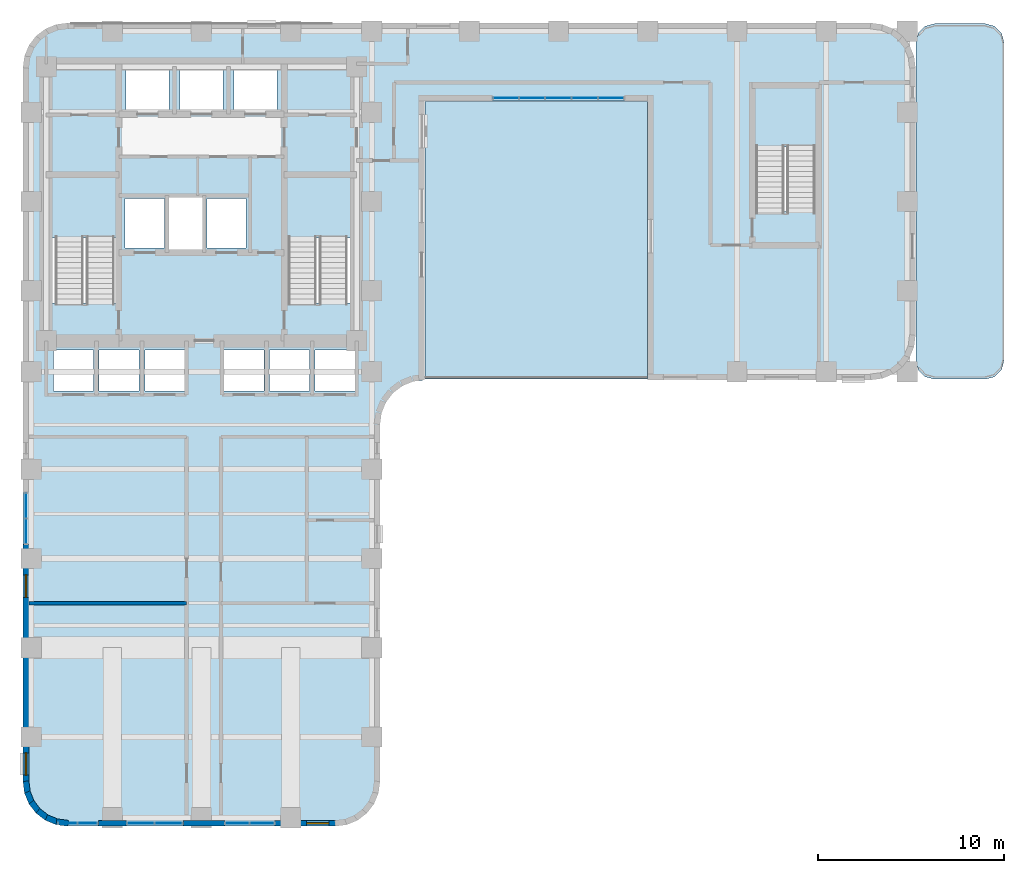
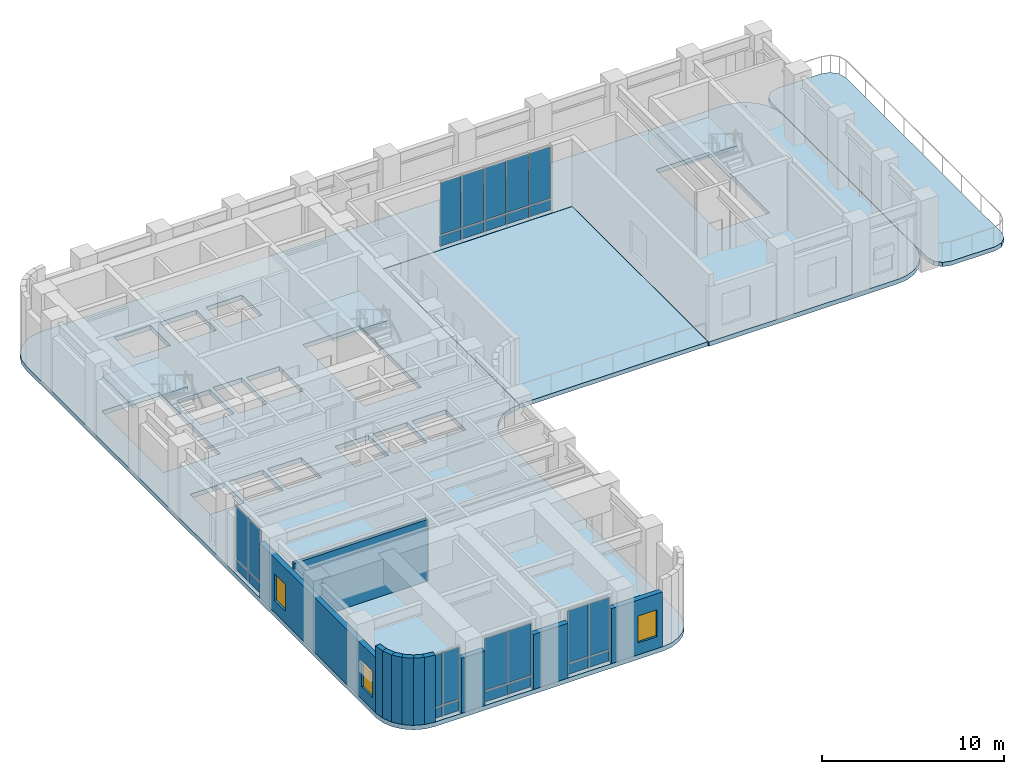
# One storey, part 5 of 12: 26 plates, 11 walls, 6 slabs, 3 windows, 3 openings, 8 elements without a shape of their own.
"""IFC4 building model written with IfcOpenShell, lengths in metres."""

from ifc_helpers import new_model, si_unit, direction, frame, frame_2d, origin, origin_2d, place, context, subcontext, project, spatial, polyline, rectangle, outline, extrude, material, layer, layer_set, type_object, element, fill, aggregate, save


model = new_model("IFC4")

# Units and contexts
model_context = context("Model", 3, precision=1e-05, world=origin(), true_north=direction((0.0, 1.0)))
body_context = subcontext(model_context, "Body", "Model", "MODEL_VIEW")
ifc_project = project(units=[si_unit("LENGTHUNIT", "METRE"), si_unit("AREAUNIT", "SQUARE_METRE"), si_unit("VOLUMEUNIT", "CUBIC_METRE"), si_unit("PLANEANGLEUNIT", "RADIAN"), si_unit("MASSUNIT", "GRAM", prefix="KILO")], contexts=[model_context])

# Site, building, storey
site_placement = place(None, origin())
site = spatial("IfcSite", under=ifc_project, at=site_placement, CompositionType="ELEMENT")
building_placement = place(site_placement, origin())
building = spatial("IfcBuilding", under=site, at=building_placement, Name="Orvandelia Arch Residences", CompositionType="ELEMENT")
storey_placement = place(building_placement, frame((0.0, 0.0, 97.0)))
storey = spatial("IfcBuildingStorey", under=building, at=storey_placement, Name="L25", CompositionType="ELEMENT", Elevation=97.0)

# Curtain wall, plates
ifc_material_1 = material(Name="Anodised Bronze Curtain Wall Assembly")
curtain_wall_type = type_object("IfcCurtainWallType", Name="CW-SYS3-SKY", PredefinedType="NOTDEFINED", material=ifc_material_1)
curtain_wall_1_placement = place(storey_placement, origin())
curtain_wall_1 = element("IfcCurtainWall", 1, at=curtain_wall_1_placement, inside=storey, type_object=curtain_wall_type, Name="Sky Lobby South Curtain Wall L25 1", PredefinedType="NOTDEFINED")
ifc_material_2 = material(Name="Insulated Bronze Aluminium Spandrel Panel", Category="aluminium")
ifc_layer_1 = layer(ifc_material_2, 0.0400390625, Name="Insulated Bronze Aluminium Spandrel Panel", Category="aluminium")
ifc_layer_set_1 = layer_set([ifc_layer_1], Name="Insulated Bronze Aluminium Spandrel Panel")
plate_type_1 = type_object("IfcPlateType", Name="CW-PANEL-SPANDREL", PredefinedType="SHEET", material=ifc_layer_set_1)
plate_1_placement = place(storey_placement, frame((7.21240234375, 4.9599609375, 0.125), z_axis=(0.0, 0.0, 1.0), x_axis=(1.0, 0.0, 0.0)))
plate_1 = element("IfcPlate", 2, at=plate_1_placement, type_object=plate_type_1, Name="Curtain Wall Spandrel Panel CW-L25-1-PS1", PredefinedType="SHEET", context=body_context, shape_type="SweptSolid", body=[
    extrude(rectangle(XDim=1.014892578125, YDim=0.0400390625, at=origin_2d()), origin(), (0.0, 0.0, 1.0), 0.669921875),
])
plate_2_placement = place(storey_placement, frame((8.277587890625, 4.9599609375, 0.125), z_axis=(0.0, 0.0, 1.0), x_axis=(1.0, 0.0, 0.0)))
plate_2 = element("IfcPlate", 3, at=plate_2_placement, type_object=plate_type_1, Name="Curtain Wall Spandrel Panel CW-L25-1-PS2", PredefinedType="SHEET", context=body_context, shape_type="SweptSolid", body=[
    extrude(rectangle(XDim=1.014892578125, YDim=0.0400390625, at=origin_2d()), origin(), (0.0, 0.0, 1.0), 0.669921875),
])

curtain_wall_2_placement = place(storey_placement, origin())
curtain_wall_2 = element("IfcCurtainWall", 4, at=curtain_wall_2_placement, inside=storey, type_object=curtain_wall_type, Name="Sky Lobby South Curtain Wall L25 2", PredefinedType="NOTDEFINED")
plate_3_placement = place(storey_placement, frame((11.137451171875, 4.9599609375, 0.125), z_axis=(0.0, 0.0, 1.0), x_axis=(1.0, 0.0, 0.0)))
plate_3 = element("IfcPlate", 5, at=plate_3_placement, type_object=plate_type_1, Name="Curtain Wall Spandrel Panel CW-L25-2-PS1", PredefinedType="SHEET", context=body_context, shape_type="SweptSolid", body=[
    extrude(rectangle(XDim=1.445068359375, YDim=0.0400390625, at=origin_2d()), origin(), (0.0, 0.0, 1.0), 0.669921875),
])
plate_4_placement = place(storey_placement, frame((12.632568359375, 4.9599609375, 0.125), z_axis=(0.0, 0.0, 1.0), x_axis=(1.0, 0.0, 0.0)))
plate_4 = element("IfcPlate", 6, at=plate_4_placement, type_object=plate_type_1, Name="Curtain Wall Spandrel Panel CW-L25-2-PS2", PredefinedType="SHEET", context=body_context, shape_type="SweptSolid", body=[
    extrude(rectangle(XDim=1.445068359375, YDim=0.0400390625, at=origin_2d()), origin(), (0.0, 0.0, 1.0), 0.669921875),
])

curtain_wall_3_placement = place(storey_placement, origin())
curtain_wall_3 = element("IfcCurtainWall", 7, at=curtain_wall_3_placement, inside=storey, type_object=curtain_wall_type, Name="Sky Lobby South Curtain Wall L25 3", PredefinedType="NOTDEFINED")
plate_5_placement = place(storey_placement, frame((16.33251953125, 4.9599609375, 0.125), z_axis=(0.0, 0.0, 1.0), x_axis=(1.0, 0.0, 0.0)))
plate_5 = element("IfcPlate", 8, at=plate_5_placement, type_object=plate_type_1, Name="Curtain Wall Spandrel Panel CW-L25-3-PS1", PredefinedType="SHEET", context=body_context, shape_type="SweptSolid", body=[
    extrude(rectangle(XDim=1.27490234375, YDim=0.0400390625, at=origin_2d()), origin(), (0.0, 0.0, 1.0), 0.669921875),
])
plate_6_placement = place(storey_placement, frame((17.657470703125, 4.9599609375, 0.125), z_axis=(0.0, 0.0, 1.0), x_axis=(1.0, 0.0, 0.0)))
plate_6 = element("IfcPlate", 9, at=plate_6_placement, type_object=plate_type_1, Name="Curtain Wall Spandrel Panel CW-L25-3-PS2", PredefinedType="SHEET", context=body_context, shape_type="SweptSolid", body=[
    extrude(rectangle(XDim=1.27490234375, YDim=0.0400390625, at=origin_2d()), origin(), (0.0, 0.0, 1.0), 0.669921875),
])

curtain_wall_4_placement = place(storey_placement, origin())
curtain_wall_4 = element("IfcCurtainWall", 10, at=curtain_wall_4_placement, inside=storey, type_object=curtain_wall_type, Name="Sky Lobby West Curtain Wall L25 4", PredefinedType="NOTDEFINED")
plate_7_placement = place(storey_placement, frame((4.9599609375, 20.672607421875, 0.125), z_axis=(0.0, 0.0, 1.0), x_axis=(0.0, 1.0, 0.0)))
plate_7 = element("IfcPlate", 11, at=plate_7_placement, type_object=plate_type_1, Name="Curtain Wall Spandrel Panel CW-L25-4-PS1", PredefinedType="SHEET", context=body_context, shape_type="SweptSolid", body=[
    extrude(rectangle(XDim=1.31494140625, YDim=0.0400390625, at=origin_2d()), origin(), (0.0, 0.0, 1.0), 0.669921875),
])
plate_8_placement = place(storey_placement, frame((4.9599609375, 22.03759765625, 0.125), z_axis=(0.0, 0.0, 1.0), x_axis=(0.0, 1.0, 0.0)))
plate_8 = element("IfcPlate", 12, at=plate_8_placement, type_object=plate_type_1, Name="Curtain Wall Spandrel Panel CW-L25-4-PS2", PredefinedType="SHEET", context=body_context, shape_type="SweptSolid", body=[
    extrude(rectangle(XDim=1.31494140625, YDim=0.0400390625, at=origin_2d()), origin(), (0.0, 0.0, 1.0), 0.669921875),
])

curtain_wall_5_placement = place(storey_placement, origin())
curtain_wall_5 = element("IfcCurtainWall", 13, at=curtain_wall_5_placement, inside=storey, type_object=curtain_wall_type, Name="Sky Garden Bridge Curtain Wall L25 5", PredefinedType="NOTDEFINED")
plate_9_placement = place(storey_placement, frame((30.77197265625, 43.9599609375, 0.125), z_axis=(0.0, 0.0, 1.0), x_axis=(1.0, 0.0, 0.0)))
plate_9 = element("IfcPlate", 14, at=plate_9_placement, type_object=plate_type_1, Name="Curtain Wall Spandrel Panel CW-L25-5-PS1", PredefinedType="SHEET", context=body_context, shape_type="SweptSolid", body=[
    extrude(rectangle(XDim=1.333984375, YDim=0.0400390625, at=origin_2d()), origin(), (0.0, 0.0, 1.0), 0.669921875),
])
plate_10_placement = place(storey_placement, frame((32.176025390625, 43.9599609375, 0.125), z_axis=(0.0, 0.0, 1.0), x_axis=(1.0, 0.0, 0.0)))
plate_10 = element("IfcPlate", 15, at=plate_10_placement, type_object=plate_type_1, Name="Curtain Wall Spandrel Panel CW-L25-5-PS2", PredefinedType="SHEET", context=body_context, shape_type="SweptSolid", body=[
    extrude(rectangle(XDim=1.3740234375, YDim=0.0400390625, at=origin_2d()), origin(), (0.0, 0.0, 1.0), 0.669921875),
])
plate_11_placement = place(storey_placement, frame((33.60009765625, 43.9599609375, 0.125), z_axis=(0.0, 0.0, 1.0), x_axis=(1.0, 0.0, 0.0)))
plate_11 = element("IfcPlate", 16, at=plate_11_placement, type_object=plate_type_1, Name="Curtain Wall Spandrel Panel CW-L25-5-PS3", PredefinedType="SHEET", context=body_context, shape_type="SweptSolid", body=[
    extrude(rectangle(XDim=1.3740234375, YDim=0.0400390625, at=origin_2d()), origin(), (0.0, 0.0, 1.0), 0.669921875),
])
plate_12_placement = place(storey_placement, frame((35.02392578125, 43.9599609375, 0.125), z_axis=(0.0, 0.0, 1.0), x_axis=(1.0, 0.0, 0.0)))
plate_12 = element("IfcPlate", 17, at=plate_12_placement, type_object=plate_type_1, Name="Curtain Wall Spandrel Panel CW-L25-5-PS4", PredefinedType="SHEET", context=body_context, shape_type="SweptSolid", body=[
    extrude(rectangle(XDim=1.3740234375, YDim=0.0400390625, at=origin_2d()), origin(), (0.0, 0.0, 1.0), 0.669921875),
])
plate_13_placement = place(storey_placement, frame((36.427978515625, 43.9599609375, 0.125), z_axis=(0.0, 0.0, 1.0), x_axis=(1.0, 0.0, 0.0)))
plate_13 = element("IfcPlate", 18, at=plate_13_placement, type_object=plate_type_1, Name="Curtain Wall Spandrel Panel CW-L25-5-PS5", PredefinedType="SHEET", context=body_context, shape_type="SweptSolid", body=[
    extrude(rectangle(XDim=1.333984375, YDim=0.0400390625, at=origin_2d()), origin(), (0.0, 0.0, 1.0), 0.669921875),
])

# Plate
ifc_material_3 = material(Name="Low-E Laminated Double Glazing", Category="glass")
ifc_layer_2 = layer(ifc_material_3, 0.031982421875, Name="Low-E Laminated Double Glazing", Category="glass")
ifc_layer_set_2 = layer_set([ifc_layer_2], Name="Low-E Laminated Double Glazing")
plate_type_2 = type_object("IfcPlateType", Name="CW-PANEL-VISION", PredefinedType="CURTAIN_PANEL", material=ifc_layer_set_2)
plate_14_placement = place(storey_placement, frame((7.21240234375, 4.9599609375, 0.90478515625), z_axis=(0.0, 0.0, 1.0), x_axis=(1.0, 0.0, 0.0)))
plate_14 = element("IfcPlate", 19, at=plate_14_placement, type_object=plate_type_2, Name="Curtain Wall Vision Glass Panel CW-L25-1-PV1", PredefinedType="CURTAIN_PANEL", context=body_context, shape_type="SweptSolid", body=[
    extrude(rectangle(XDim=1.014892578125, YDim=0.031982421875, at=origin_2d()), origin(), (0.0, 0.0, 1.0), 3.469970703125),
])

plate_15_placement = place(storey_placement, frame((8.277587890625, 4.9599609375, 0.90478515625), z_axis=(0.0, 0.0, 1.0), x_axis=(1.0, 0.0, 0.0)))
plate_15 = element("IfcPlate", 20, at=plate_15_placement, type_object=plate_type_2, Name="Curtain Wall Vision Glass Panel CW-L25-1-PV2", PredefinedType="CURTAIN_PANEL", context=body_context, shape_type="SweptSolid", body=[
    extrude(rectangle(XDim=1.014892578125, YDim=0.031982421875, at=origin_2d()), origin(), (0.0, 0.0, 1.0), 3.469970703125),
])

aggregate(curtain_wall_1, [plate_1, plate_14, plate_2, plate_15])

plate_16_placement = place(storey_placement, frame((11.137451171875, 4.9599609375, 0.90478515625), z_axis=(0.0, 0.0, 1.0), x_axis=(1.0, 0.0, 0.0)))
plate_16 = element("IfcPlate", 21, at=plate_16_placement, type_object=plate_type_2, Name="Curtain Wall Vision Glass Panel CW-L25-2-PV1", PredefinedType="CURTAIN_PANEL", context=body_context, shape_type="SweptSolid", body=[
    extrude(rectangle(XDim=1.445068359375, YDim=0.031982421875, at=origin_2d()), origin(), (0.0, 0.0, 1.0), 3.469970703125),
])

plate_17_placement = place(storey_placement, frame((12.632568359375, 4.9599609375, 0.90478515625), z_axis=(0.0, 0.0, 1.0), x_axis=(1.0, 0.0, 0.0)))
plate_17 = element("IfcPlate", 22, at=plate_17_placement, type_object=plate_type_2, Name="Curtain Wall Vision Glass Panel CW-L25-2-PV2", PredefinedType="CURTAIN_PANEL", context=body_context, shape_type="SweptSolid", body=[
    extrude(rectangle(XDim=1.445068359375, YDim=0.031982421875, at=origin_2d()), origin(), (0.0, 0.0, 1.0), 3.469970703125),
])

aggregate(curtain_wall_2, [plate_3, plate_16, plate_4, plate_17])

plate_18_placement = place(storey_placement, frame((16.33251953125, 4.9599609375, 0.90478515625), z_axis=(0.0, 0.0, 1.0), x_axis=(1.0, 0.0, 0.0)))
plate_18 = element("IfcPlate", 23, at=plate_18_placement, type_object=plate_type_2, Name="Curtain Wall Vision Glass Panel CW-L25-3-PV1", PredefinedType="CURTAIN_PANEL", context=body_context, shape_type="SweptSolid", body=[
    extrude(rectangle(XDim=1.27490234375, YDim=0.031982421875, at=origin_2d()), origin(), (0.0, 0.0, 1.0), 3.469970703125),
])

plate_19_placement = place(storey_placement, frame((17.657470703125, 4.9599609375, 0.90478515625), z_axis=(0.0, 0.0, 1.0), x_axis=(1.0, 0.0, 0.0)))
plate_19 = element("IfcPlate", 24, at=plate_19_placement, type_object=plate_type_2, Name="Curtain Wall Vision Glass Panel CW-L25-3-PV2", PredefinedType="CURTAIN_PANEL", context=body_context, shape_type="SweptSolid", body=[
    extrude(rectangle(XDim=1.27490234375, YDim=0.031982421875, at=origin_2d()), origin(), (0.0, 0.0, 1.0), 3.469970703125),
])

aggregate(curtain_wall_3, [plate_5, plate_18, plate_6, plate_19])

plate_20_placement = place(storey_placement, frame((4.9599609375, 20.672607421875, 0.90478515625), z_axis=(0.0, 0.0, 1.0), x_axis=(0.0, 1.0, 0.0)))
plate_20 = element("IfcPlate", 25, at=plate_20_placement, type_object=plate_type_2, Name="Curtain Wall Vision Glass Panel CW-L25-4-PV1", PredefinedType="CURTAIN_PANEL", context=body_context, shape_type="SweptSolid", body=[
    extrude(rectangle(XDim=1.31494140625, YDim=0.031982421875, at=origin_2d()), origin(), (0.0, 0.0, 1.0), 3.469970703125),
])

plate_21_placement = place(storey_placement, frame((4.9599609375, 22.03759765625, 0.90478515625), z_axis=(0.0, 0.0, 1.0), x_axis=(0.0, 1.0, 0.0)))
plate_21 = element("IfcPlate", 26, at=plate_21_placement, type_object=plate_type_2, Name="Curtain Wall Vision Glass Panel CW-L25-4-PV2", PredefinedType="CURTAIN_PANEL", context=body_context, shape_type="SweptSolid", body=[
    extrude(rectangle(XDim=1.31494140625, YDim=0.031982421875, at=origin_2d()), origin(), (0.0, 0.0, 1.0), 3.469970703125),
])

aggregate(curtain_wall_4, [plate_7, plate_20, plate_8, plate_21])

plate_22_placement = place(storey_placement, frame((30.77197265625, 43.9599609375, 0.90478515625), z_axis=(0.0, 0.0, 1.0), x_axis=(1.0, 0.0, 0.0)))
plate_22 = element("IfcPlate", 27, at=plate_22_placement, type_object=plate_type_2, Name="Curtain Wall Vision Glass Panel CW-L25-5-PV1", PredefinedType="CURTAIN_PANEL", context=body_context, shape_type="SweptSolid", body=[
    extrude(rectangle(XDim=1.333984375, YDim=0.031982421875, at=origin_2d()), origin(), (0.0, 0.0, 1.0), 3.469970703125),
])

plate_23_placement = place(storey_placement, frame((32.176025390625, 43.9599609375, 0.90478515625), z_axis=(0.0, 0.0, 1.0), x_axis=(1.0, 0.0, 0.0)))
plate_23 = element("IfcPlate", 28, at=plate_23_placement, type_object=plate_type_2, Name="Curtain Wall Vision Glass Panel CW-L25-5-PV2", PredefinedType="CURTAIN_PANEL", context=body_context, shape_type="SweptSolid", body=[
    extrude(rectangle(XDim=1.3740234375, YDim=0.031982421875, at=origin_2d()), origin(), (0.0, 0.0, 1.0), 3.469970703125),
])

plate_24_placement = place(storey_placement, frame((33.60009765625, 43.9599609375, 0.90478515625), z_axis=(0.0, 0.0, 1.0), x_axis=(1.0, 0.0, 0.0)))
plate_24 = element("IfcPlate", 29, at=plate_24_placement, type_object=plate_type_2, Name="Curtain Wall Vision Glass Panel CW-L25-5-PV3", PredefinedType="CURTAIN_PANEL", context=body_context, shape_type="SweptSolid", body=[
    extrude(rectangle(XDim=1.3740234375, YDim=0.031982421875, at=origin_2d()), origin(), (0.0, 0.0, 1.0), 3.469970703125),
])

plate_25_placement = place(storey_placement, frame((35.02392578125, 43.9599609375, 0.90478515625), z_axis=(0.0, 0.0, 1.0), x_axis=(1.0, 0.0, 0.0)))
plate_25 = element("IfcPlate", 30, at=plate_25_placement, type_object=plate_type_2, Name="Curtain Wall Vision Glass Panel CW-L25-5-PV4", PredefinedType="CURTAIN_PANEL", context=body_context, shape_type="SweptSolid", body=[
    extrude(rectangle(XDim=1.3740234375, YDim=0.031982421875, at=origin_2d()), origin(), (0.0, 0.0, 1.0), 3.469970703125),
])

plate_26_placement = place(storey_placement, frame((36.427978515625, 43.9599609375, 0.90478515625), z_axis=(0.0, 0.0, 1.0), x_axis=(1.0, 0.0, 0.0)))
plate_26 = element("IfcPlate", 31, at=plate_26_placement, type_object=plate_type_2, Name="Curtain Wall Vision Glass Panel CW-L25-5-PV5", PredefinedType="CURTAIN_PANEL", context=body_context, shape_type="SweptSolid", body=[
    extrude(rectangle(XDim=1.333984375, YDim=0.031982421875, at=origin_2d()), origin(), (0.0, 0.0, 1.0), 3.469970703125),
])

aggregate(curtain_wall_5, [plate_9, plate_22, plate_10, plate_23, plate_11, plate_24, plate_12, plate_25, plate_13, plate_26])

# Stair, slab
ifc_material_4 = material(Name="Concrete C40/50", Category="concrete")
stair_type = type_object("IfcStairType", Name="STAIR-RC-DOGLEG", PredefinedType="HALF_TURN_STAIR", material=ifc_material_4)
stair_1_placement = place(storey_placement, origin())
stair_1 = element("IfcStair", 32, at=stair_1_placement, inside=storey, type_object=stair_type, Name="L25 Protected Exit Stair ST-1", PredefinedType="HALF_TURN_STAIR")
ifc_layer_3 = layer(ifc_material_4, 0.219970703125, Name="Concrete C40/50", Category="concrete")
ifc_layer_set_3 = layer_set([ifc_layer_3], Name="Concrete C40/50")
slab_type_1 = type_object("IfcSlabType", Name="SLB-LANDING-220", PredefinedType="LANDING", material=ifc_layer_set_3)
slab_1_placement = place(storey_placement, frame((0.0, 0.0, 2.199951171875)))
slab_1 = element("IfcSlab", 33, at=slab_1_placement, type_object=slab_type_1, Name="ST-1 landing 1", PredefinedType="LANDING", context=body_context, shape_type="SweptSolid", body=[
    extrude(outline(polyline([(9.800048828125, 36.429931640625), (9.800048828125, 39.68994140625), (6.260009765625, 39.68994140625), (6.260009765625, 36.429931640625), (9.800048828125, 36.429931640625)])), origin(), (0.0, 0.0, 1.0), 0.199951171875),
])
aggregate(stair_1, [slab_1])

stair_2_placement = place(storey_placement, origin())
stair_2 = element("IfcStair", 34, at=stair_2_placement, inside=storey, type_object=stair_type, Name="L25 Protected Exit Stair ST-2", PredefinedType="HALF_TURN_STAIR")
slab_2_placement = place(storey_placement, frame((0.0, 0.0, 2.199951171875)))
slab_2 = element("IfcSlab", 35, at=slab_2_placement, type_object=slab_type_1, Name="ST-2 landing 1", PredefinedType="LANDING", context=body_context, shape_type="SweptSolid", body=[
    extrude(outline(polyline([(22.5400390625, 36.429931640625), (22.5400390625, 39.68994140625), (19.0, 39.68994140625), (19.0, 36.429931640625), (22.5400390625, 36.429931640625)])), origin(), (0.0, 0.0, 1.0), 0.199951171875),
])
aggregate(stair_2, [slab_2])

stair_3_placement = place(storey_placement, origin())
stair_3 = element("IfcStair", 36, at=stair_3_placement, inside=storey, type_object=stair_type, Name="L25 East Wing Exit Stair ST-3", PredefinedType="HALF_TURN_STAIR")
slab_3_placement = place(storey_placement, frame((0.0, 0.0, 2.199951171875)))
slab_3 = element("IfcSlab", 37, at=slab_3_placement, type_object=slab_type_1, Name="ST-3 landing 1", PredefinedType="LANDING", context=body_context, shape_type="SweptSolid", body=[
    extrude(outline(polyline([(47.43994140625, 41.330078125), (47.43994140625, 44.5), (44.179931640625, 44.5), (44.179931640625, 41.330078125), (47.43994140625, 41.330078125)])), origin(), (0.0, 0.0, 1.0), 0.199951171875),
])
aggregate(stair_3, [slab_3])

# Slabs
ifc_material_5 = material(Name="Concrete C50/60", Category="concrete")
ifc_layer_4 = layer(ifc_material_5, 0.300048828125, Name="Concrete C50/60", Category="concrete")
ifc_layer_set_4 = layer_set([ifc_layer_4], Name="Concrete C50/60")
slab_type_2 = type_object("IfcSlabType", Name="SLB-OUT-300", PredefinedType="FLOOR", material=ifc_layer_set_4)
slab_4_placement = place(storey_placement, frame((0.0, 0.0, -0.300048828125)))
element("IfcSlab", 38, at=slab_4_placement, inside=storey, type_object=slab_type_2, Name="Structural Floor Slab L25-1", PredefinedType="FLOOR", context=body_context, shape_type="SweptSolid", body=[
    extrude(outline(polyline([(4.800048828125, 7.199951171875), (4.8818359375, 6.578857421875), (5.12158203125, 6.0), (5.5029296875, 5.5029296875), (6.0, 5.12158203125), (6.578857421875, 4.8818359375), (7.199951171875, 4.800048828125), (21.60009765625, 4.800048828125), (22.22119140625, 4.8818359375), (22.800048828125, 5.12158203125), (23.297119140625, 5.5029296875), (23.678466796875, 6.0), (23.918212890625, 6.578857421875), (24.0, 7.199951171875), (24.0, 26.39990234375), (24.081787109375, 27.021240234375), (24.321533203125, 27.60009765625), (24.702880859375, 28.09716796875), (25.199951171875, 28.478515625), (25.77880859375, 28.71826171875), (26.39990234375, 28.800048828125), (26.39990234375, 43.800048828125), (38.39990234375, 43.800048828125), (38.39990234375, 28.800048828125), (50.39990234375, 28.800048828125), (51.021240234375, 28.8818359375), (51.60009765625, 29.12158203125), (52.09716796875, 29.5029296875), (52.478515625, 30.0), (52.71826171875, 30.578857421875), (52.800048828125, 31.199951171875), (52.800048828125, 45.60009765625), (52.71826171875, 46.22119140625), (52.478515625, 46.800048828125), (52.09716796875, 47.297119140625), (51.60009765625, 47.678466796875), (51.021240234375, 47.918212890625), (50.39990234375, 48.0), (7.199951171875, 48.0), (6.578857421875, 47.918212890625), (6.0, 47.678466796875), (5.5029296875, 47.297119140625), (5.12158203125, 46.800048828125), (4.8818359375, 46.22119140625), (4.800048828125, 45.60009765625), (4.800048828125, 7.199951171875)]), holes=[polyline([(6.219970703125, 32.949951171875), (9.840087890625, 32.949951171875), (9.840087890625, 39.72998046875), (6.219970703125, 39.72998046875), (6.219970703125, 32.949951171875)]), polyline([(18.9599609375, 32.949951171875), (22.580078125, 32.949951171875), (22.580078125, 39.72998046875), (18.9599609375, 39.72998046875), (18.9599609375, 32.949951171875)]), polyline([(44.139892578125, 37.85009765625), (47.47998046875, 37.85009765625), (47.47998046875, 44.5400390625), (44.139892578125, 44.5400390625), (44.139892578125, 37.85009765625)]), polyline([(12.639892578125, 35.81005859375), (14.4599609375, 35.81005859375), (14.4599609375, 38.639892578125), (12.639892578125, 38.639892578125), (12.639892578125, 35.81005859375)]), polyline([(10.300048828125, 35.89990234375), (12.39990234375, 35.89990234375), (12.39990234375, 38.550048828125), (10.300048828125, 38.550048828125), (10.300048828125, 35.89990234375)]), polyline([(14.699951171875, 35.89990234375), (16.800048828125, 35.89990234375), (16.800048828125, 38.550048828125), (14.699951171875, 38.550048828125), (14.699951171875, 35.89990234375)]), polyline([(10.35009765625, 43.300048828125), (12.64990234375, 43.300048828125), (12.64990234375, 45.5), (10.35009765625, 45.5), (10.35009765625, 43.300048828125)]), polyline([(13.25, 43.300048828125), (15.550048828125, 43.300048828125), (15.550048828125, 45.5), (13.25, 45.5), (13.25, 43.300048828125)]), polyline([(16.14990234375, 43.300048828125), (18.449951171875, 43.300048828125), (18.449951171875, 45.5), (16.14990234375, 45.5), (16.14990234375, 43.300048828125)]), polyline([(6.449951171875, 28.199951171875), (8.60009765625, 28.199951171875), (8.60009765625, 30.39990234375), (6.449951171875, 30.39990234375), (6.449951171875, 28.199951171875)]), polyline([(8.89990234375, 28.199951171875), (11.050048828125, 28.199951171875), (11.050048828125, 30.39990234375), (8.89990234375, 30.39990234375), (8.89990234375, 28.199951171875)]), polyline([(11.35009765625, 28.199951171875), (13.5, 28.199951171875), (13.5, 30.39990234375), (11.35009765625, 30.39990234375), (11.35009765625, 28.199951171875)]), polyline([(15.60009765625, 28.199951171875), (17.75, 28.199951171875), (17.75, 30.39990234375), (15.60009765625, 30.39990234375), (15.60009765625, 28.199951171875)]), polyline([(18.050048828125, 28.199951171875), (20.199951171875, 28.199951171875), (20.199951171875, 30.39990234375), (18.050048828125, 30.39990234375), (18.050048828125, 28.199951171875)]), polyline([(20.5, 28.199951171875), (22.64990234375, 28.199951171875), (22.64990234375, 30.39990234375), (20.5, 30.39990234375), (20.5, 28.199951171875)])]), origin(), (0.0, 0.0, 1.0), 0.300048828125),
])
ifc_layer_5 = layer(ifc_material_4, 0.280029296875, Name="Concrete C40/50", Category="concrete")
ifc_layer_set_5 = layer_set([ifc_layer_5], Name="Concrete C40/50")
slab_type_3 = type_object("IfcSlabType", Name="SLB-TERR-280", PredefinedType="ROOF", material=ifc_layer_set_5)
slab_5_placement = place(storey_placement, frame((0.0, 0.0, -0.280029296875)))
element("IfcSlab", 39, at=slab_5_placement, inside=storey, type_object=slab_type_3, Name="Planted Sky Terrace Slab TERR-L25-EAST", PredefinedType="ROOF", context=body_context, shape_type="SweptSolid", body=[
    extrude(outline(polyline([(52.820068359375, 29.840087890625), (52.9541015625, 29.340087890625), (53.320068359375, 28.97412109375), (53.820068359375, 28.840087890625), (56.56005859375, 28.840087890625), (57.06005859375, 28.97412109375), (57.426025390625, 29.340087890625), (57.56005859375, 29.840087890625), (57.56005859375, 46.9599609375), (57.426025390625, 47.4599609375), (57.06005859375, 47.825927734375), (56.56005859375, 47.9599609375), (53.820068359375, 47.9599609375), (53.320068359375, 47.825927734375), (52.9541015625, 47.4599609375), (52.820068359375, 46.9599609375), (52.820068359375, 29.840087890625)])), origin(), (0.0, 0.0, 1.0), 0.280029296875),
])
slab_6_placement = place(storey_placement, frame((0.0, 0.0, -0.280029296875)))
element("IfcSlab", 40, at=slab_6_placement, inside=storey, type_object=slab_type_3, Name="Planted Sky Terrace Slab TERR-L25-WAIST", PredefinedType="ROOF", context=body_context, shape_type="SweptSolid", body=[
    extrude(outline(polyline([(26.419921875, 28.840087890625), (38.3798828125, 28.840087890625), (38.3798828125, 43.780029296875), (26.419921875, 43.780029296875), (26.419921875, 28.840087890625)])), origin(), (0.0, 0.0, 1.0), 0.280029296875),
])

# Wall
ifc_layer_6 = layer(ifc_material_4, 0.199951171875, Name="Concrete C40/50", Category="concrete")
ifc_layer_set_6 = layer_set([ifc_layer_6], Name="Concrete C40/50")
wall_type_1 = type_object("IfcWallType", Name="WL-DEM-200", PredefinedType="SOLIDWALL", material=ifc_layer_set_6)
wall_1_placement = place(storey_placement, frame((5.1201171875, 16.800048828125, 0.0), z_axis=(0.0, 0.0, 1.0), x_axis=(1.0, 0.0, 0.0)))
element("IfcWall", 41, at=wall_1_placement, inside=storey, type_object=wall_type_1, Name="Interior Partition Wall WL-L25-SKD1", PredefinedType="SOLIDWALL", context=body_context, shape_type="SweptSolid", body=[
    extrude(rectangle(XDim=8.47998046875, YDim=0.199951171875, at=frame_2d((4.239990234375, 0.0))), origin(), (0.0, 0.0, 1.0), 4.1298828125),
])

# Wall, opening, window
ifc_material_6 = material(Name="Precast concrete C40/50", Category="concrete")
ifc_layer_7 = layer(ifc_material_6, 0.320068359375, Name="Precast concrete C40/50", Category="concrete")
ifc_layer_set_7 = layer_set([ifc_layer_7], Name="Precast concrete C40/50")
wall_type_2 = type_object("IfcWallType", Name="WL-EXT-STONE-320", PredefinedType="STANDARD", material=ifc_layer_set_7)
wall_2_placement = place(storey_placement, frame((21.60009765625, 4.9599609375, 0.0), z_axis=(0.0, 0.0, 1.0), x_axis=(-1.0, 0.0, 0.0)))
wall_2 = element("IfcWall", 42, at=wall_2_placement, inside=storey, type_object=wall_type_2, Name="Coral-Limestone Precast Facade Wall L25-039", PredefinedType="STANDARD", context=body_context, shape_type="SweptSolid", body=[
    extrude(rectangle(XDim=3.239990234375, YDim=0.320068359375, at=frame_2d((1.6201171875, 0.0))), origin(), (0.0, 0.0, 1.0), 3.679931640625),
])
opening_1_placement = place(wall_2_placement, frame((0.344970703125, 0.0, 0.800048828125)))
opening_1 = element("IfcOpeningElement", 43, at=opening_1_placement, cuts=wall_2, Name="Opening W3", PredefinedType="OPENING", context=body_context, shape_type="SweptSolid", body=[
    extrude(rectangle(XDim=1.199951171875, YDim=1.800048828125, at=frame_2d((0.60009765625, 0.89990234375))), frame((0.0, 0.169921875, 0.0), z_axis=(0.0, -1.0, 0.0), x_axis=(1.0, 0.0, 0.0)), (0.0, 0.0, 1.0), 0.340087890625),
])
ifc_material_7 = material(Name="Tempered Low-E Insulated Glazing", Category="glass")
window_type = type_object("IfcWindowType", Name="WIN-RES-1200x1800", PartitioningType="SINGLE_PANEL", PredefinedType="WINDOW", material=ifc_material_7)
window_1_placement = place(opening_1_placement, origin())
window_1 = element("IfcWindow", 44, at=window_1_placement, inside=storey, type_object=window_type, Name="Recessed Punched Window L25-014", OverallHeight=1.800048828125, OverallWidth=1.199951171875, PartitioningType="SINGLE_PANEL", PredefinedType="WINDOW", context=body_context, shape_type="SweptSolid", body=[
    extrude(rectangle(XDim=1.199951171875, YDim=1.800048828125, at=frame_2d((0.60009765625, 0.89990234375))), frame((0.0, 0.030029296875, 0.0), z_axis=(0.0, -1.0, 0.0), x_axis=(1.0, 0.0, 0.0)), (0.0, 0.0, 1.0), 0.06005859375),
])
fill(opening_1, window_1)

# Walls
wall_3_placement = place(storey_placement, frame((15.6298828125, 4.9599609375, 0.0), z_axis=(0.0, 0.0, 1.0), x_axis=(-1.0, 0.0, 0.0)))
element("IfcWall", 45, at=wall_3_placement, inside=storey, type_object=wall_type_2, Name="Coral-Limestone Precast Facade Wall L25-040", PredefinedType="STANDARD", context=body_context, shape_type="SweptSolid", body=[
    extrude(rectangle(XDim=2.2099609375, YDim=0.320068359375, at=frame_2d((1.10498046875, 0.0))), origin(), (0.0, 0.0, 1.0), 3.679931640625),
])
wall_4_placement = place(storey_placement, frame((10.35009765625, 4.9599609375, 0.0), z_axis=(0.0, 0.0, 1.0), x_axis=(-1.0, 0.0, 0.0)))
element("IfcWall", 46, at=wall_4_placement, inside=storey, type_object=wall_type_2, Name="Coral-Limestone Precast Facade Wall L25-041", PredefinedType="STANDARD", context=body_context, shape_type="SweptSolid", body=[
    extrude(rectangle(XDim=1.5, YDim=0.320068359375, at=frame_2d((0.75, 0.0))), origin(), (0.0, 0.0, 1.0), 3.679931640625),
])
wall_5_placement = place(storey_placement, frame((7.220947265625, 4.95849609375, 0.0), z_axis=(0.0, 0.0, 1.0), x_axis=(-0.991447664465, 0.130504898859, 0.0)))
element("IfcWall", 47, at=wall_5_placement, inside=storey, type_object=wall_type_2, Name="Coral-Limestone Precast Facade Wall L25-042", PredefinedType="STANDARD", context=body_context, shape_type="SweptSolid", body=[
    extrude(rectangle(XDim=0.626708984375, YDim=0.320068359375, at=frame_2d((0.3134765625, 0.0))), origin(), (0.0, 0.0, 1.0), 4.5),
])
wall_6_placement = place(storey_placement, frame((6.639892578125, 5.029541015625, 0.0), z_axis=(0.0, 0.0, 1.0), x_axis=(-0.923836271867, 0.382787856107, 0.0)))
element("IfcWall", 48, at=wall_6_placement, inside=storey, type_object=wall_type_2, Name="Coral-Limestone Precast Facade Wall L25-043", PredefinedType="STANDARD", context=body_context, shape_type="SweptSolid", body=[
    extrude(rectangle(XDim=0.626220703125, YDim=0.320068359375, at=frame_2d((0.31298828125, 0.0))), origin(), (0.0, 0.0, 1.0), 4.5),
])
for number, where, z_axis, x_axis, name in (
    (49, (6.097412109375, 5.248291015625, 0.0), (0.0, 0.0, 1.0), (-0.7932174212, 0.608938521285, 0.0), "Coral-Limestone Precast Facade Wall L25-044"),
    (50, (5.6298828125, 5.600341796875, 0.0), (0.0, 0.0, 1.0), (-0.608938521285, 0.7932174212, 0.0), "Coral-Limestone Precast Facade Wall L25-045"),
):
    element("IfcWall", number, at=place(storey_placement, frame(where, z_axis=z_axis, x_axis=x_axis)), inside=storey, type_object=wall_type_2, Name=name, PredefinedType="STANDARD", context=body_context, shape_type="SweptSolid", body=[
        extrude(rectangle(XDim=0.626708984375, YDim=0.320068359375, at=frame_2d((0.3134765625, 0.0))), origin(), (0.0, 0.0, 1.0), 4.5),
    ])
wall_7_placement = place(storey_placement, frame((5.269287109375, 6.061279296875, 0.0), z_axis=(0.0, 0.0, 1.0), x_axis=(-0.382787856107, 0.923836271867, 0.0)))
element("IfcWall", 51, at=wall_7_placement, inside=storey, type_object=wall_type_2, Name="Coral-Limestone Precast Facade Wall L25-046", PredefinedType="STANDARD", context=body_context, shape_type="SweptSolid", body=[
    extrude(rectangle(XDim=0.626220703125, YDim=0.320068359375, at=frame_2d((0.31298828125, 0.0))), origin(), (0.0, 0.0, 1.0), 4.5),
])
wall_8_placement = place(storey_placement, frame((5.040283203125, 6.599609375, 0.0), z_axis=(0.0, 0.0, 1.0), x_axis=(-0.130504898859, 0.991447664465, 0.0)))
element("IfcWall", 52, at=wall_8_placement, inside=storey, type_object=wall_type_2, Name="Coral-Limestone Precast Facade Wall L25-047", PredefinedType="STANDARD", context=body_context, shape_type="SweptSolid", body=[
    extrude(rectangle(XDim=0.626708984375, YDim=0.320068359375, at=frame_2d((0.3134765625, 0.0))), origin(), (0.0, 0.0, 1.0), 4.5),
])

# Wall, openings, windows
wall_9_placement = place(storey_placement, frame((4.9599609375, 7.199951171875, 0.0), z_axis=(0.0, 0.0, 1.0), x_axis=(0.0, 1.0, 0.0)))
wall_9 = element("IfcWall", 53, at=wall_9_placement, inside=storey, type_object=wall_type_2, Name="Coral-Limestone Precast Facade Wall L25-048", PredefinedType="STANDARD", context=body_context, shape_type="SweptSolid", body=[
    extrude(rectangle(XDim=12.75, YDim=0.320068359375, at=frame_2d((6.375, 0.0))), origin(), (0.0, 0.0, 1.0), 3.679931640625),
])
opening_2_placement = place(wall_9_placement, frame((0.344970703125, 0.0, 0.800048828125)))
opening_2 = element("IfcOpeningElement", 54, at=opening_2_placement, cuts=wall_9, Name="Opening W3", PredefinedType="OPENING", context=body_context, shape_type="SweptSolid", body=[
    extrude(rectangle(XDim=1.199951171875, YDim=1.800048828125, at=frame_2d((0.60009765625, 0.89990234375))), frame((0.0, 0.169921875, 0.0), z_axis=(0.0, -1.0, 0.0), x_axis=(1.0, 0.0, 0.0)), (0.0, 0.0, 1.0), 0.340087890625),
])
opening_3_placement = place(wall_9_placement, frame((9.9150390625, 0.0, 0.800048828125)))
opening_3 = element("IfcOpeningElement", 55, at=opening_3_placement, cuts=wall_9, Name="Opening W3", PredefinedType="OPENING", context=body_context, shape_type="SweptSolid", body=[
    extrude(rectangle(XDim=1.199951171875, YDim=1.800048828125, at=frame_2d((0.60009765625, 0.89990234375))), frame((0.0, 0.169921875, 0.0), z_axis=(0.0, -1.0, 0.0), x_axis=(1.0, 0.0, 0.0)), (0.0, 0.0, 1.0), 0.340087890625),
])
window_2_placement = place(opening_2_placement, origin())
window_2 = element("IfcWindow", 56, at=window_2_placement, inside=storey, type_object=window_type, Name="Recessed Punched Window L25-015", OverallHeight=1.800048828125, OverallWidth=1.199951171875, PartitioningType="SINGLE_PANEL", PredefinedType="WINDOW", context=body_context, shape_type="SweptSolid", body=[
    extrude(rectangle(XDim=1.199951171875, YDim=1.800048828125, at=frame_2d((0.60009765625, 0.89990234375))), frame((0.0, 0.030029296875, 0.0), z_axis=(0.0, -1.0, 0.0), x_axis=(1.0, 0.0, 0.0)), (0.0, 0.0, 1.0), 0.06005859375),
])
fill(opening_2, window_2)
window_3_placement = place(opening_3_placement, origin())
window_3 = element("IfcWindow", 57, at=window_3_placement, inside=storey, type_object=window_type, Name="Recessed Punched Window L25-016", OverallHeight=1.800048828125, OverallWidth=1.199951171875, PartitioningType="SINGLE_PANEL", PredefinedType="WINDOW", context=body_context, shape_type="SweptSolid", body=[
    extrude(rectangle(XDim=1.199951171875, YDim=1.800048828125, at=frame_2d((0.60009765625, 0.89990234375))), frame((0.0, 0.030029296875, 0.0), z_axis=(0.0, -1.0, 0.0), x_axis=(1.0, 0.0, 0.0)), (0.0, 0.0, 1.0), 0.06005859375),
])
fill(opening_3, window_3)

save(model, "model.ifc")
